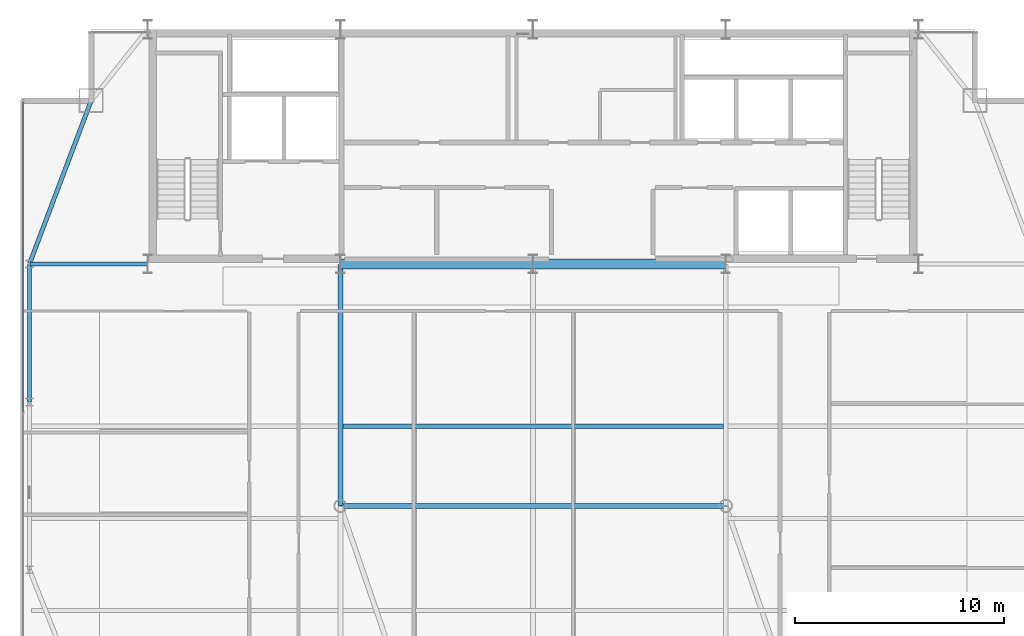
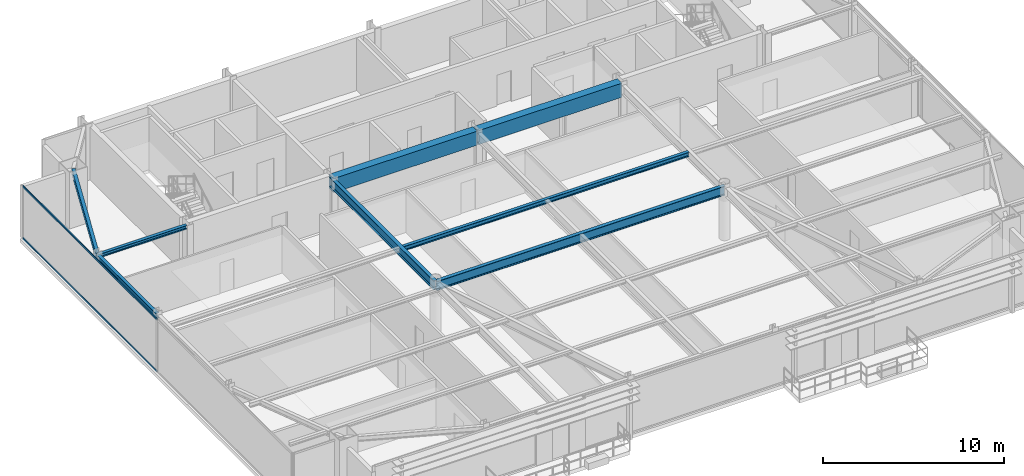
# One storey, part 11 of 30: 8 beams, 2 members, 1 element without a shape of its own.
"""IFC4 building model written with IfcOpenShell, lengths in metres."""

from ifc_helpers import new_model, si_unit, direction, frame, origin, origin_2d, place, context, subcontext, project, spatial, rectangle, hollow_rectangle, i_section, extrude, source, transform, mapped, material, layer, layer_set, material_profile, profile_set, type_object, type_shapes, element, aggregate, save


model = new_model("IFC4")

# Units and contexts
model_context = context("Model", 3, precision=1e-05, world=origin(), true_north=direction((0.0, 1.0)))
body_context = subcontext(model_context, "Body", "Model", "MODEL_VIEW")
ifc_project = project(units=[si_unit("LENGTHUNIT", "METRE"), si_unit("AREAUNIT", "SQUARE_METRE"), si_unit("VOLUMEUNIT", "CUBIC_METRE"), si_unit("PLANEANGLEUNIT", "RADIAN"), si_unit("MASSUNIT", "GRAM", prefix="KILO")], contexts=[model_context])

# Site, building, storey
site_placement = place(None, origin())
site = spatial("IfcSite", under=ifc_project, at=site_placement, CompositionType="ELEMENT")
building_placement = place(site_placement, origin())
building = spatial("IfcBuilding", under=site, at=building_placement, Name="Varnel Quay Broadcast Tower", CompositionType="ELEMENT")
storey_placement = place(building_placement, frame((0.0, 0.0, 207.39990234375)))
storey = spatial("IfcBuildingStorey", under=building, at=storey_placement, Name="L51", CompositionType="ELEMENT", Elevation=207.39990234375)

# Beams
ifc_material_1 = material(Name="Concrete CSA A23.3 C50/60", Category="concrete")
ifc_material_profile_1 = material_profile(ifc_material_1, rectangle(XDim=0.5, YDim=0.949951171875, at=origin_2d()), Name="RC500X950")
ifc_profile_set_1 = profile_set([ifc_material_profile_1], Name="Concrete CSA A23.3 C50/60")
beam_type_1 = type_object("IfcBeamType", Name="Beam_RC500X950", PredefinedType="BEAM", material=ifc_profile_set_1)
shared_shape_1 = source(origin(), body_context, "Body", "SweptSolid", [
    extrude(rectangle(XDim=0.5, YDim=0.949951171875, at=origin_2d()), origin(), (0.0, 0.0, 1.0), 9.159912109375),
])
type_shapes(beam_type_1, [shared_shape_1])
for number, where, z_axis, x_axis, name in (
    (1, (24.820068359375, 35.60009765625, 3.0751953125), (1.0, 0.0, 0.0), (0.0, 1.0, 0.0), "L51 Core Coupling Beam W"),
    (2, (34.02001953125, 35.60009765625, 3.0751953125), (1.0, 0.0, 0.0), (0.0, 1.0, 0.0), "L51 Core Coupling Beam E"),
):
    element("IfcBeam", number, at=place(storey_placement, frame(where, z_axis=z_axis, x_axis=x_axis)), inside=storey, type_object=beam_type_1, Name=name, PredefinedType="BEAM", context=body_context, shape_type="MappedRepresentation", body=[
        mapped(shared_shape_1, transform((0.0, 0.0, 0.0), x_axis=(1.0, 0.0, 0.0), y_axis=(0.0, 1.0, 0.0), z_axis=(0.0, 0.0, 1.0), scale=1.0)),
    ])
ifc_material_2 = material(Name="Structural Steel CSA G40.21 350W", Category="steel")
ifc_material_profile_2 = material_profile(ifc_material_2, i_section(OverallWidth=0.205078125, OverallDepth=0.35400390625, WebThickness=0.009521484375, FlangeThickness=0.016845703125, FilletRadius=0.012939453125, at=origin_2d()), Name="W360X79")
ifc_profile_set_2 = profile_set([ifc_material_profile_2], Name="Structural Steel CSA G40.21 350W")
beam_type_2 = type_object("IfcBeamType", Name="Beam_W360X79", PredefinedType="SPANDREL", material=ifc_profile_set_2)
shared_shape_2 = source(origin(), body_context, "Body", "SweptSolid", [
    extrude(i_section(OverallWidth=0.205078125, OverallDepth=0.35400390625, WebThickness=0.009521484375, FlangeThickness=0.016845703125, FilletRadius=0.012939453125, at=origin_2d()), origin(), (0.0, 0.0, 1.0), 6.56005859375),
])
beam_1_placement = place(storey_placement, frame((9.949951171875, 29.02001953125, 3.373046875), z_axis=(0.0, 1.0, 0.0), x_axis=(-1.0, 0.0, 0.0)))
element("IfcBeam", 3, at=beam_1_placement, inside=storey, type_object=beam_type_2, Name="L51 West Spandrel TC-W2-TC-W3", PredefinedType="SPANDREL", context=body_context, shape_type="MappedRepresentation", body=[
    mapped(shared_shape_2, transform((0.0, 0.0, 0.0), x_axis=(1.0, 0.0, 0.0), y_axis=(0.0, 1.0, 0.0), z_axis=(0.0, 0.0, 1.0), scale=1.0)),
])
shared_shape_3 = source(origin(), body_context, "Body", "SweptSolid", [
    extrude(i_section(OverallWidth=0.205078125, OverallDepth=0.35400390625, WebThickness=0.009521484375, FlangeThickness=0.016845703125, FilletRadius=0.012939453125, at=origin_2d()), origin(), (0.0, 0.0, 1.0), 8.29931640625),
])
type_shapes(beam_type_2, [shared_shape_2, shared_shape_3])
beam_2_placement = place(storey_placement, frame((9.95703125, 35.61865234375, 3.373046875), z_axis=(0.353739782058, 0.935343876117, 0.0), x_axis=(-0.935343876117, 0.353739782058, 0.0)))
element("IfcBeam", 4, at=beam_2_placement, inside=storey, type_object=beam_type_2, Name="L51 West Spandrel TC-W3-MC-NW", PredefinedType="SPANDREL", context=body_context, shape_type="MappedRepresentation", body=[
    mapped(shared_shape_3, transform((0.0, 0.0, 0.0), x_axis=(1.0, 0.0, 0.0), y_axis=(0.0, 1.0, 0.0), z_axis=(0.0, 0.0, 1.0), scale=1.0)),
])
ifc_material_profile_3 = material_profile(ifc_material_2, i_section(OverallWidth=0.22998046875, OverallDepth=0.616943359375, WebThickness=0.01318359375, FlangeThickness=0.022216796875, FilletRadius=0.01611328125, at=origin_2d()), Name="W610X140")
ifc_profile_set_3 = profile_set([ifc_material_profile_3], Name="Structural Steel CSA G40.21 350W")
beam_type_3 = type_object("IfcBeamType", Name="Girder_W610X140", PredefinedType="BEAM", material=ifc_profile_set_3)
shared_shape_4 = source(origin(), body_context, "Body", "SweptSolid", [
    extrude(i_section(OverallWidth=0.22998046875, OverallDepth=0.616943359375, WebThickness=0.01318359375, FlangeThickness=0.022216796875, FilletRadius=0.01611328125, at=origin_2d()), origin(), (0.0, 0.0, 1.0), 11.510009765625),
])
beam_3_placement = place(storey_placement, frame((24.800048828125, 24.070068359375, 3.24169921875), z_axis=(0.0, 1.0, 0.0), x_axis=(-1.0, 0.0, 0.0)))
element("IfcBeam", 5, at=beam_3_placement, inside=storey, type_object=beam_type_3, Name="L51 Primary Girder IC-01-CC-S2", PredefinedType="BEAM", context=body_context, shape_type="MappedRepresentation", body=[
    mapped(shared_shape_4, transform((0.0, 0.0, 0.0), x_axis=(1.0, 0.0, 0.0), y_axis=(0.0, 1.0, 0.0), z_axis=(0.0, 0.0, 1.0), scale=1.0)),
])
shared_shape_5 = source(origin(), body_context, "Body", "SweptSolid", [
    extrude(i_section(OverallWidth=0.22998046875, OverallDepth=0.616943359375, WebThickness=0.01318359375, FlangeThickness=0.022216796875, FilletRadius=0.01611328125, at=origin_2d()), origin(), (0.0, 0.0, 1.0), 18.35986328125),
])
type_shapes(beam_type_3, [shared_shape_4, shared_shape_5])
beam_4_placement = place(storey_placement, frame((24.820068359375, 24.050048828125, 3.24169921875), z_axis=(1.0, 0.0, 0.0), x_axis=(0.0, 1.0, 0.0)))
element("IfcBeam", 6, at=beam_4_placement, inside=storey, type_object=beam_type_3, Name="L51 Interior Spine Girder", PredefinedType="BEAM", context=body_context, shape_type="MappedRepresentation", body=[
    mapped(shared_shape_5, transform((0.0, 0.0, 0.0), x_axis=(1.0, 0.0, 0.0), y_axis=(0.0, 1.0, 0.0), z_axis=(0.0, 0.0, 1.0), scale=1.0)),
])
ifc_material_profile_4 = material_profile(ifc_material_2, i_section(OverallWidth=0.201904296875, OverallDepth=0.2470703125, WebThickness=0.00732421875, FlangeThickness=0.010986328125, FilletRadius=0.010986328125, at=origin_2d()), Name="W250X49")
ifc_profile_set_4 = profile_set([ifc_material_profile_4], Name="Structural Steel CSA G40.21 350W")
beam_type_4 = type_object("IfcBeamType", Name="Beam_W250X49", PredefinedType="JOIST", material=ifc_profile_set_4)
shared_shape_6 = source(origin(), body_context, "Body", "SweptSolid", [
    extrude(i_section(OverallWidth=0.201904296875, OverallDepth=0.2470703125, WebThickness=0.00732421875, FlangeThickness=0.010986328125, FilletRadius=0.010986328125, at=origin_2d()), origin(), (0.0, 0.0, 1.0), 5.610107421875),
])
type_shapes(beam_type_4, [shared_shape_6])
beam_5_placement = place(storey_placement, frame((9.969970703125, 35.60009765625, 3.426513671875), z_axis=(1.0, 0.0, 0.0), x_axis=(0.0, 1.0, 0.0)))
element("IfcBeam", 7, at=beam_5_placement, inside=storey, type_object=beam_type_4, Name="L51 West Core Tie Joist", PredefinedType="JOIST", context=body_context, shape_type="MappedRepresentation", body=[
    mapped(shared_shape_6, transform((0.0, 0.0, 0.0), x_axis=(1.0, 0.0, 0.0), y_axis=(0.0, 1.0, 0.0), z_axis=(0.0, 0.0, 1.0), scale=1.0)),
])
ifc_material_profile_5 = material_profile(ifc_material_2, i_section(OverallWidth=0.202880859375, OverallDepth=0.302978515625, WebThickness=0.007568359375, FlangeThickness=0.01318359375, FilletRadius=0.011962890625, at=origin_2d()), Name="W310X60")
ifc_profile_set_5 = profile_set([ifc_material_profile_5], Name="Structural Steel CSA G40.21 350W")
beam_type_5 = type_object("IfcBeamType", Name="Beam_W310X60", PredefinedType="JOIST", material=ifc_profile_set_5)
shared_shape_7 = source(origin(), body_context, "Body", "SweptSolid", [
    extrude(i_section(OverallWidth=0.202880859375, OverallDepth=0.302978515625, WebThickness=0.007568359375, FlangeThickness=0.01318359375, FilletRadius=0.011962890625, at=origin_2d()), origin(), (0.0, 0.0, 1.0), 18.18017578125),
])
type_shapes(beam_type_5, [shared_shape_7])
beam_6_placement = place(storey_placement, frame((24.909912109375, 27.85009765625, 3.398681640625), z_axis=(1.0, 0.0, 0.0), x_axis=(0.0, 1.0, 0.0)))
element("IfcBeam", 8, at=beam_6_placement, inside=storey, type_object=beam_type_5, Name="L51 Central Floor Joist 4", PredefinedType="JOIST", context=body_context, shape_type="MappedRepresentation", body=[
    mapped(shared_shape_7, transform((0.0, 0.0, 0.0), x_axis=(1.0, 0.0, 0.0), y_axis=(0.0, 1.0, 0.0), z_axis=(0.0, 0.0, 1.0), scale=1.0)),
])

# Curtain wall, members
ifc_material_3 = material(Name="Anodised Bronze Aluminium 6063-T6", Category="aluminium")
ifc_layer = layer(ifc_material_3, 0.18994140625, Name="Anodised Bronze Aluminium 6063-T6")
ifc_layer_set = layer_set([ifc_layer], Name="Anodised Bronze Aluminium 6063-T6")
curtain_wall_type = type_object("IfcCurtainWallType", Name="CW_UpperTower", PredefinedType="NOTDEFINED", material=ifc_layer_set)
curtain_wall_placement = place(storey_placement, origin())
curtain_wall = element("IfcCurtainWall", 9, at=curtain_wall_placement, inside=storey, type_object=curtain_wall_type, Name="L51 West Unitised Curtain Wall", PredefinedType="NOTDEFINED")
ifc_material_profile_6 = material_profile(ifc_material_3, hollow_rectangle(XDim=0.06005859375, YDim=0.125, WallThickness=0.0029296875, at=origin_2d()), Name="ALU60X125X3")
ifc_profile_set_6 = profile_set([ifc_material_profile_6], Name="Anodised Bronze Aluminium 6063-T6")
member_type = type_object("IfcMemberType", Name="Tran_CWS-03", PredefinedType="USERDEFINED", material=ifc_profile_set_6)
shared_shape_8 = source(origin(), body_context, "Body", "SweptSolid", [
    extrude(hollow_rectangle(XDim=0.06005859375, YDim=0.125, WallThickness=0.0029296875, at=origin_2d()), origin(), (0.0, 0.0, 1.0), 14.802490234375),
])
type_shapes(member_type, [shared_shape_8])
member_1_placement = place(storey_placement, frame((9.64990234375, 28.532470703125, 0.030029296875), z_axis=(0.0, 1.0, 0.0), x_axis=(-1.0, 0.0, 0.0)))
member_1 = element("IfcMember", 10, at=member_1_placement, type_object=member_type, Name="CWS-03 transom 2.1", ObjectType="TRANSOM", PredefinedType="USERDEFINED", context=body_context, shape_type="MappedRepresentation", body=[
    mapped(shared_shape_8, transform((0.0, 0.0, 0.0), x_axis=(1.0, 0.0, 0.0), y_axis=(0.0, 1.0, 0.0), z_axis=(0.0, 0.0, 1.0), scale=1.0)),
])
member_2_placement = place(storey_placement, frame((9.64990234375, 28.532470703125, 3.52001953125), z_axis=(0.0, 1.0, 0.0), x_axis=(-1.0, 0.0, 0.0)))
member_2 = element("IfcMember", 11, at=member_2_placement, type_object=member_type, Name="CWS-03 transom 2.2", ObjectType="TRANSOM", PredefinedType="USERDEFINED", context=body_context, shape_type="MappedRepresentation", body=[
    mapped(shared_shape_8, transform((0.0, 0.0, 0.0), x_axis=(1.0, 0.0, 0.0), y_axis=(0.0, 1.0, 0.0), z_axis=(0.0, 0.0, 1.0), scale=1.0)),
])
aggregate(curtain_wall, [member_1, member_2])

save(model, "model.ifc")
